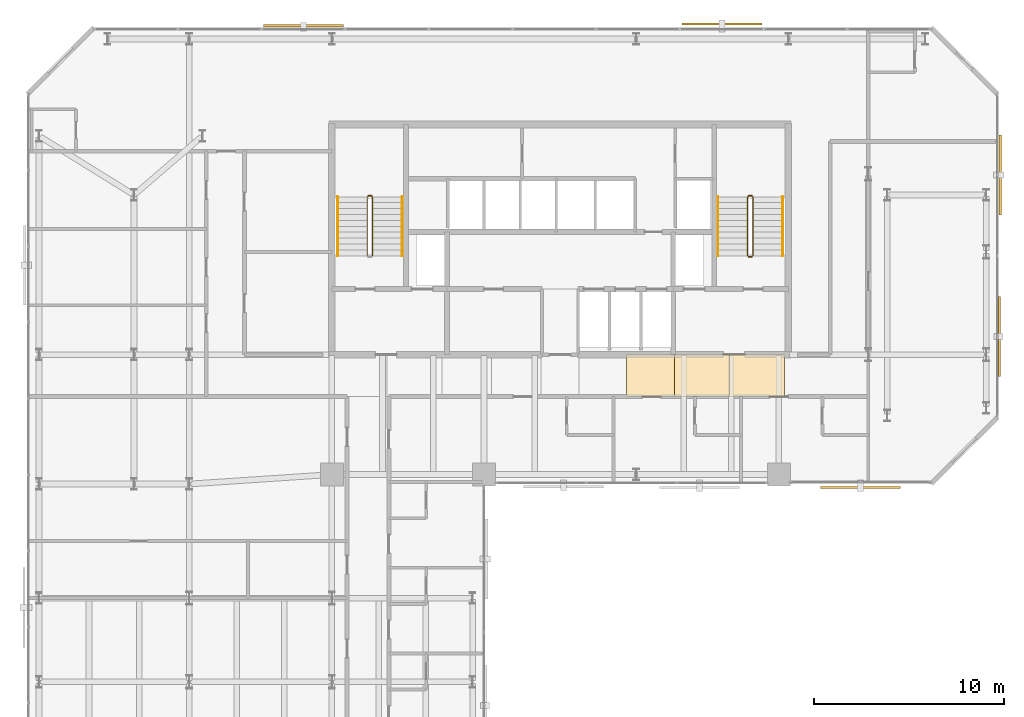
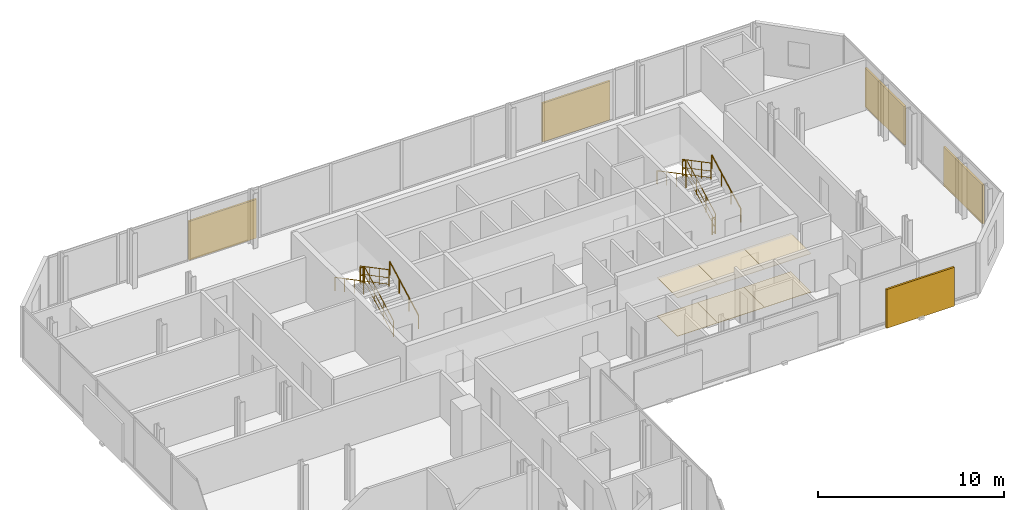
# One storey, part 32 of 32: 11 railings, 6 coverings, 5 shading devices.
"""IFC4 building model written with IfcOpenShell, lengths in metres."""

from ifc_helpers import new_model, si_unit, direction, frame, origin, origin_2d, place, context, subcontext, project, spatial, polyline, rectangle, circle, outline, extrude, material, layer, layer_set, type_object, element, save


model = new_model("IFC4")

# Units and contexts
model_context = context("Model", 3, precision=1e-05, world=origin(), true_north=direction((0.0, 1.0)))
body_context = subcontext(model_context, "Body", "Model", "MODEL_VIEW")
ifc_project = project(units=[si_unit("LENGTHUNIT", "METRE"), si_unit("AREAUNIT", "SQUARE_METRE"), si_unit("VOLUMEUNIT", "CUBIC_METRE"), si_unit("PLANEANGLEUNIT", "RADIAN"), si_unit("MASSUNIT", "GRAM", prefix="KILO")], contexts=[model_context])

# Site, building, storey
site_placement = place(None, origin())
site = spatial("IfcSite", under=ifc_project, at=site_placement, CompositionType="ELEMENT")
building_placement = place(site_placement, origin())
building = spatial("IfcBuilding", under=site, at=building_placement, Name="Catumbela Crestline Tower", CompositionType="ELEMENT")
storey_placement = place(building_placement, frame((0.0, 0.0, 133.2)))
storey = spatial("IfcBuildingStorey", under=building, at=storey_placement, Name="L34", CompositionType="ELEMENT", Elevation=133.2)

# Coverings
ifc_material_1 = material(Name="Mineral-fibre acoustic ceiling")
ifc_layer_1 = layer(ifc_material_1, 0.03, Name="Mineral-fibre acoustic ceiling")
ifc_layer_set_1 = layer_set([ifc_layer_1], Name="Mineral-fibre acoustic ceiling")
covering_type_1 = type_object("IfcCoveringType", Name="CC-AC", PredefinedType="CEILING", material=ifc_layer_set_1)
covering_1_placement = place(storey_placement, frame((0.0, 0.0, 2.52)))
element("IfcCovering", 1, at=covering_1_placement, inside=storey, type_object=covering_type_1, Name="L34 Corridor Acoustic Ceiling Bay 6", PredefinedType="CEILING", context=body_context, shape_type="SweptSolid", body=[
    extrude(outline(polyline([(31.5, 28.6), (34.0, 28.6), (34.0, 30.8), (31.5, 30.8), (31.5, 28.6)])), origin(), (0.0, 0.0, 1.0), 0.03),
])
covering_2_placement = place(storey_placement, frame((0.0, 0.0, 2.52)))
element("IfcCovering", 2, at=covering_2_placement, inside=storey, type_object=covering_type_1, Name="L34 Corridor Acoustic Ceiling Bay 7", PredefinedType="CEILING", context=body_context, shape_type="SweptSolid", body=[
    extrude(outline(polyline([(34.0, 28.6), (36.9, 28.6), (36.9, 30.8), (34.0, 30.8), (34.0, 28.6)])), origin(), (0.0, 0.0, 1.0), 0.03),
])
covering_3_placement = place(storey_placement, frame((0.0, 0.0, 2.52)))
element("IfcCovering", 3, at=covering_3_placement, inside=storey, type_object=covering_type_1, Name="L34 Corridor Acoustic Ceiling Bay 8", PredefinedType="CEILING", context=body_context, shape_type="SweptSolid", body=[
    extrude(outline(polyline([(36.9, 28.6), (39.8, 28.6), (39.8, 30.8), (36.9, 30.8), (36.9, 28.6)])), origin(), (0.0, 0.0, 1.0), 0.03),
])
ifc_material_2 = material(Name="Angolan grey-ochre granite", Category="masonry")
ifc_layer_2 = layer(ifc_material_2, 0.025, Name="Angolan grey-ochre granite")
ifc_layer_set_2 = layer_set([ifc_layer_2], Name="Angolan grey-ochre granite")
covering_type_2 = type_object("IfcCoveringType", Name="CF-GR", PredefinedType="FLOORING", material=ifc_layer_set_2)
covering_4_placement = place(storey_placement, origin())
element("IfcCovering", 4, at=covering_4_placement, inside=storey, type_object=covering_type_2, Name="L34 Corridor Granite Flooring Bay 6", PredefinedType="FLOORING", context=body_context, shape_type="SweptSolid", body=[
    extrude(outline(polyline([(31.5, 28.6), (34.0, 28.6), (34.0, 30.8), (31.5, 30.8), (31.5, 28.6)])), origin(), (0.0, 0.0, 1.0), 0.025),
])
covering_5_placement = place(storey_placement, origin())
element("IfcCovering", 5, at=covering_5_placement, inside=storey, type_object=covering_type_2, Name="L34 Corridor Granite Flooring Bay 7", PredefinedType="FLOORING", context=body_context, shape_type="SweptSolid", body=[
    extrude(outline(polyline([(34.0, 28.6), (36.9, 28.6), (36.9, 30.8), (34.0, 30.8), (34.0, 28.6)])), origin(), (0.0, 0.0, 1.0), 0.025),
])
covering_6_placement = place(storey_placement, origin())
element("IfcCovering", 6, at=covering_6_placement, inside=storey, type_object=covering_type_2, Name="L34 Corridor Granite Flooring Bay 8", PredefinedType="FLOORING", context=body_context, shape_type="SweptSolid", body=[
    extrude(outline(polyline([(36.9, 28.6), (39.8, 28.6), (39.8, 30.8), (36.9, 30.8), (36.9, 28.6)])), origin(), (0.0, 0.0, 1.0), 0.025),
])

# Railings
ifc_material_3 = material(Name="Stainless steel EN 1.4401", Category="steel")
railing_type_1 = type_object("IfcRailingType", Name="RG-1100", PredefinedType="GUARDRAIL", material=ifc_material_3)
railing_1_placement = place(storey_placement, frame((18.14, 36.0, 0.1636)))
element("IfcRailing", 7, at=railing_1_placement, inside=storey, type_object=railing_type_1, Name="L34 ST-01 stair guard 1", PredefinedType="GUARDRAIL", context=body_context, shape_type="SweptSolid", body=[
    extrude(circle(Radius=0.024, at=origin_2d()), frame((0.0, 0.0, 1.076), z_axis=(0.0, 0.884350731049, 0.466823076222), x_axis=(-1.0, 0.0, 0.0)), (0.0, 0.0, 1.0), 3.5054),
    extrude(circle(Radius=0.0156, at=origin_2d()), frame((0.0, 0.0, 0.55), z_axis=(0.0, 0.884350731049, 0.466823076222), x_axis=(-1.0, 0.0, 0.0)), (0.0, 0.0, 1.0), 3.5054),
    extrude(circle(Radius=0.0156, at=origin_2d()), frame((0.0, 0.0, 0.12), z_axis=(0.0, 0.884350731049, 0.466823076222), x_axis=(-1.0, 0.0, 0.0)), (0.0, 0.0, 1.0), 3.5054),
    extrude(circle(Radius=0.021, at=origin_2d()), origin(), (0.0, 0.0, 1.0), 1.052),
    extrude(circle(Radius=0.021, at=origin_2d()), frame((0.0, 1.0333, 0.5455)), (0.0, 0.0, 1.0), 1.052),
    extrude(circle(Radius=0.021, at=origin_2d()), frame((0.0, 2.0667, 1.0909)), (0.0, 0.0, 1.0), 1.052),
    extrude(circle(Radius=0.021, at=origin_2d()), frame((0.0, 3.1, 1.6364)), (0.0, 0.0, 1.0), 1.052),
])
railing_2_placement = place(storey_placement, frame((18.09, 39.15, 1.8)))
element("IfcRailing", 8, at=railing_2_placement, inside=storey, type_object=railing_type_1, Name="L34 ST-01 stair guard 2", PredefinedType="GUARDRAIL", context=body_context, shape_type="SweptSolid", body=[
    extrude(circle(Radius=0.024, at=origin_2d()), frame((0.0, 0.0, 1.076), z_axis=(-1.0, 0.0, 0.0), x_axis=(0.0, -1.0, 0.0)), (0.0, 0.0, 1.0), 0.18),
    extrude(circle(Radius=0.0156, at=origin_2d()), frame((0.0, 0.0, 0.55), z_axis=(-1.0, 0.0, 0.0), x_axis=(0.0, -1.0, 0.0)), (0.0, 0.0, 1.0), 0.18),
    extrude(circle(Radius=0.0156, at=origin_2d()), frame((0.0, 0.0, 0.12), z_axis=(-1.0, 0.0, 0.0), x_axis=(0.0, -1.0, 0.0)), (0.0, 0.0, 1.0), 0.18),
    extrude(circle(Radius=0.021, at=origin_2d()), origin(), (0.0, 0.0, 1.0), 1.052),
    extrude(circle(Radius=0.021, at=origin_2d()), frame((-0.18, 0.0, 0.0)), (0.0, 0.0, 1.0), 1.052),
])
railing_3_placement = place(storey_placement, frame((17.86, 39.1, 1.9636)))
element("IfcRailing", 9, at=railing_3_placement, inside=storey, type_object=railing_type_1, Name="L34 ST-01 stair guard 3", PredefinedType="GUARDRAIL", context=body_context, shape_type="SweptSolid", body=[
    extrude(circle(Radius=0.024, at=origin_2d()), frame((0.0, 0.0, 1.076), z_axis=(0.0, -0.884350731049, 0.466823076222), x_axis=(1.0, 0.0, 0.0)), (0.0, 0.0, 1.0), 3.5054),
    extrude(circle(Radius=0.0156, at=origin_2d()), frame((0.0, 0.0, 0.55), z_axis=(0.0, -0.884350731049, 0.466823076222), x_axis=(1.0, 0.0, 0.0)), (0.0, 0.0, 1.0), 3.5054),
    extrude(circle(Radius=0.0156, at=origin_2d()), frame((0.0, 0.0, 0.12), z_axis=(0.0, -0.884350731049, 0.466823076222), x_axis=(1.0, 0.0, 0.0)), (0.0, 0.0, 1.0), 3.5054),
    extrude(circle(Radius=0.021, at=origin_2d()), origin(), (0.0, 0.0, 1.0), 1.052),
    extrude(circle(Radius=0.021, at=origin_2d()), frame((0.0, -1.0333, 0.5455)), (0.0, 0.0, 1.0), 1.052),
    extrude(circle(Radius=0.021, at=origin_2d()), frame((0.0, -2.0667, 1.0909)), (0.0, 0.0, 1.0), 1.052),
    extrude(circle(Radius=0.021, at=origin_2d()), frame((0.0, -3.1, 1.6364)), (0.0, 0.0, 1.0), 1.052),
])
railing_4_placement = place(storey_placement, frame((38.14, 36.0, 0.1636)))
element("IfcRailing", 10, at=railing_4_placement, inside=storey, type_object=railing_type_1, Name="L34 ST-02 stair guard 1", PredefinedType="GUARDRAIL", context=body_context, shape_type="SweptSolid", body=[
    extrude(circle(Radius=0.024, at=origin_2d()), frame((0.0, 0.0, 1.076), z_axis=(0.0, 0.884350731049, 0.466823076222), x_axis=(-1.0, 0.0, 0.0)), (0.0, 0.0, 1.0), 3.5054),
    extrude(circle(Radius=0.0156, at=origin_2d()), frame((0.0, 0.0, 0.55), z_axis=(0.0, 0.884350731049, 0.466823076222), x_axis=(-1.0, 0.0, 0.0)), (0.0, 0.0, 1.0), 3.5054),
    extrude(circle(Radius=0.0156, at=origin_2d()), frame((0.0, 0.0, 0.12), z_axis=(0.0, 0.884350731049, 0.466823076222), x_axis=(-1.0, 0.0, 0.0)), (0.0, 0.0, 1.0), 3.5054),
    extrude(circle(Radius=0.021, at=origin_2d()), origin(), (0.0, 0.0, 1.0), 1.052),
    extrude(circle(Radius=0.021, at=origin_2d()), frame((0.0, 1.0333, 0.5455)), (0.0, 0.0, 1.0), 1.052),
    extrude(circle(Radius=0.021, at=origin_2d()), frame((0.0, 2.0667, 1.0909)), (0.0, 0.0, 1.0), 1.052),
    extrude(circle(Radius=0.021, at=origin_2d()), frame((0.0, 3.1, 1.6364)), (0.0, 0.0, 1.0), 1.052),
])
railing_5_placement = place(storey_placement, frame((38.09, 39.15, 1.8)))
element("IfcRailing", 11, at=railing_5_placement, inside=storey, type_object=railing_type_1, Name="L34 ST-02 stair guard 2", PredefinedType="GUARDRAIL", context=body_context, shape_type="SweptSolid", body=[
    extrude(circle(Radius=0.024, at=origin_2d()), frame((0.0, 0.0, 1.076), z_axis=(-1.0, 0.0, 0.0), x_axis=(0.0, -1.0, 0.0)), (0.0, 0.0, 1.0), 0.18),
    extrude(circle(Radius=0.0156, at=origin_2d()), frame((0.0, 0.0, 0.55), z_axis=(-1.0, 0.0, 0.0), x_axis=(0.0, -1.0, 0.0)), (0.0, 0.0, 1.0), 0.18),
    extrude(circle(Radius=0.0156, at=origin_2d()), frame((0.0, 0.0, 0.12), z_axis=(-1.0, 0.0, 0.0), x_axis=(0.0, -1.0, 0.0)), (0.0, 0.0, 1.0), 0.18),
    extrude(circle(Radius=0.021, at=origin_2d()), origin(), (0.0, 0.0, 1.0), 1.052),
    extrude(circle(Radius=0.021, at=origin_2d()), frame((-0.18, 0.0, 0.0)), (0.0, 0.0, 1.0), 1.052),
])
railing_6_placement = place(storey_placement, frame((37.86, 39.1, 1.9636)))
element("IfcRailing", 12, at=railing_6_placement, inside=storey, type_object=railing_type_1, Name="L34 ST-02 stair guard 3", PredefinedType="GUARDRAIL", context=body_context, shape_type="SweptSolid", body=[
    extrude(circle(Radius=0.024, at=origin_2d()), frame((0.0, 0.0, 1.076), z_axis=(0.0, -0.884350731049, 0.466823076222), x_axis=(1.0, 0.0, 0.0)), (0.0, 0.0, 1.0), 3.5054),
    extrude(circle(Radius=0.0156, at=origin_2d()), frame((0.0, 0.0, 0.55), z_axis=(0.0, -0.884350731049, 0.466823076222), x_axis=(1.0, 0.0, 0.0)), (0.0, 0.0, 1.0), 3.5054),
    extrude(circle(Radius=0.0156, at=origin_2d()), frame((0.0, 0.0, 0.12), z_axis=(0.0, -0.884350731049, 0.466823076222), x_axis=(1.0, 0.0, 0.0)), (0.0, 0.0, 1.0), 3.5054),
    extrude(circle(Radius=0.021, at=origin_2d()), origin(), (0.0, 0.0, 1.0), 1.052),
    extrude(circle(Radius=0.021, at=origin_2d()), frame((0.0, -1.0333, 0.5455)), (0.0, 0.0, 1.0), 1.052),
    extrude(circle(Radius=0.021, at=origin_2d()), frame((0.0, -2.0667, 1.0909)), (0.0, 0.0, 1.0), 1.052),
    extrude(circle(Radius=0.021, at=origin_2d()), frame((0.0, -3.1, 1.6364)), (0.0, 0.0, 1.0), 1.052),
])
railing_7_placement = place(storey_placement, frame((38.09, 35.95, 0.0)))
element("IfcRailing", 13, at=railing_7_placement, inside=storey, type_object=railing_type_1, Name="L34 ST-02 stair guard 4", PredefinedType="GUARDRAIL", context=body_context, shape_type="SweptSolid", body=[
    extrude(circle(Radius=0.024, at=origin_2d()), frame((0.0, 0.0, 1.076), z_axis=(-1.0, 0.0, 0.0), x_axis=(0.0, -1.0, 0.0)), (0.0, 0.0, 1.0), 0.18),
    extrude(circle(Radius=0.0156, at=origin_2d()), frame((0.0, 0.0, 0.55), z_axis=(-1.0, 0.0, 0.0), x_axis=(0.0, -1.0, 0.0)), (0.0, 0.0, 1.0), 0.18),
    extrude(circle(Radius=0.0156, at=origin_2d()), frame((0.0, 0.0, 0.12), z_axis=(-1.0, 0.0, 0.0), x_axis=(0.0, -1.0, 0.0)), (0.0, 0.0, 1.0), 0.18),
    extrude(circle(Radius=0.021, at=origin_2d()), origin(), (0.0, 0.0, 1.0), 1.052),
    extrude(circle(Radius=0.021, at=origin_2d()), frame((-0.18, 0.0, 0.0)), (0.0, 0.0, 1.0), 1.052),
])
railing_type_2 = type_object("IfcRailingType", Name="RH-0900", PredefinedType="HANDRAIL", material=ifc_material_3)
railing_8_placement = place(storey_placement, frame((19.7, 36.0, 0.1636)))
element("IfcRailing", 14, at=railing_8_placement, inside=storey, type_object=railing_type_2, Name="L34 ST-01 stair handrail 1", PredefinedType="HANDRAIL", context=body_context, shape_type="SweptSolid", body=[
    extrude(circle(Radius=0.024, at=origin_2d()), frame((0.0, 0.0, 0.876), z_axis=(0.0, 0.884350731049, 0.466823076222), x_axis=(-1.0, 0.0, 0.0)), (0.0, 0.0, 1.0), 3.5054),
    extrude(circle(Radius=0.021, at=origin_2d()), origin(), (0.0, 0.0, 1.0), 0.852),
    extrude(circle(Radius=0.021, at=origin_2d()), frame((0.0, 1.0333, 0.5455)), (0.0, 0.0, 1.0), 0.852),
    extrude(circle(Radius=0.021, at=origin_2d()), frame((0.0, 2.0667, 1.0909)), (0.0, 0.0, 1.0), 0.852),
    extrude(circle(Radius=0.021, at=origin_2d()), frame((0.0, 3.1, 1.6364)), (0.0, 0.0, 1.0), 0.852),
])
railing_9_placement = place(storey_placement, frame((16.3, 39.1, 1.9636)))
element("IfcRailing", 15, at=railing_9_placement, inside=storey, type_object=railing_type_2, Name="L34 ST-01 stair handrail 2", PredefinedType="HANDRAIL", context=body_context, shape_type="SweptSolid", body=[
    extrude(circle(Radius=0.024, at=origin_2d()), frame((0.0, 0.0, 0.876), z_axis=(0.0, -0.884350731049, 0.466823076222), x_axis=(1.0, 0.0, 0.0)), (0.0, 0.0, 1.0), 3.5054),
    extrude(circle(Radius=0.021, at=origin_2d()), origin(), (0.0, 0.0, 1.0), 0.852),
    extrude(circle(Radius=0.021, at=origin_2d()), frame((0.0, -1.0333, 0.5455)), (0.0, 0.0, 1.0), 0.852),
    extrude(circle(Radius=0.021, at=origin_2d()), frame((0.0, -2.0667, 1.0909)), (0.0, 0.0, 1.0), 0.852),
    extrude(circle(Radius=0.021, at=origin_2d()), frame((0.0, -3.1, 1.6364)), (0.0, 0.0, 1.0), 0.852),
])
railing_10_placement = place(storey_placement, frame((39.7, 36.0, 0.1636)))
element("IfcRailing", 16, at=railing_10_placement, inside=storey, type_object=railing_type_2, Name="L34 ST-02 stair handrail 1", PredefinedType="HANDRAIL", context=body_context, shape_type="SweptSolid", body=[
    extrude(circle(Radius=0.024, at=origin_2d()), frame((0.0, 0.0, 0.876), z_axis=(0.0, 0.884350731049, 0.466823076222), x_axis=(-1.0, 0.0, 0.0)), (0.0, 0.0, 1.0), 3.5054),
    extrude(circle(Radius=0.021, at=origin_2d()), origin(), (0.0, 0.0, 1.0), 0.852),
    extrude(circle(Radius=0.021, at=origin_2d()), frame((0.0, 1.0333, 0.5455)), (0.0, 0.0, 1.0), 0.852),
    extrude(circle(Radius=0.021, at=origin_2d()), frame((0.0, 2.0667, 1.0909)), (0.0, 0.0, 1.0), 0.852),
    extrude(circle(Radius=0.021, at=origin_2d()), frame((0.0, 3.1, 1.6364)), (0.0, 0.0, 1.0), 0.852),
])
railing_11_placement = place(storey_placement, frame((36.3, 39.1, 1.9636)))
element("IfcRailing", 17, at=railing_11_placement, inside=storey, type_object=railing_type_2, Name="L34 ST-02 stair handrail 2", PredefinedType="HANDRAIL", context=body_context, shape_type="SweptSolid", body=[
    extrude(circle(Radius=0.024, at=origin_2d()), frame((0.0, 0.0, 0.876), z_axis=(0.0, -0.884350731049, 0.466823076222), x_axis=(1.0, 0.0, 0.0)), (0.0, 0.0, 1.0), 3.5054),
    extrude(circle(Radius=0.021, at=origin_2d()), origin(), (0.0, 0.0, 1.0), 0.852),
    extrude(circle(Radius=0.021, at=origin_2d()), frame((0.0, -1.0333, 0.5455)), (0.0, 0.0, 1.0), 0.852),
    extrude(circle(Radius=0.021, at=origin_2d()), frame((0.0, -2.0667, 1.0909)), (0.0, 0.0, 1.0), 0.852),
    extrude(circle(Radius=0.021, at=origin_2d()), frame((0.0, -3.1, 1.6364)), (0.0, 0.0, 1.0), 0.852),
])

# Shading devices
ifc_material_4 = material(Name="Extruded terracotta ceramic", Category="masonry")
shading_device_type_1 = type_object("IfcShadingDeviceType", Name="ST-180", PredefinedType="USERDEFINED", material=ifc_material_4)
for number, where, z_axis, x_axis, name in (
    (18, (51.099, 31.75, -0.1), (0.0, 0.0, 1.0), (0.0, 1.0, 0.0), "L34 Perforated Terracotta Solar Screen 374 (180 mm)"),
    (19, (14.5, 48.099, -0.1), (0.0, 0.0, 1.0), (-1.0, 0.0, 0.0), "L34 Perforated Terracotta Solar Screen 377 (180 mm)"),
):
    element("IfcShadingDevice", number, at=place(storey_placement, frame(where, z_axis=z_axis, x_axis=x_axis)), inside=storey, type_object=shading_device_type_1, Name=name, ObjectType="SCREEN", PredefinedType="USERDEFINED", context=body_context, shape_type="SweptSolid", body=[
        extrude(rectangle(XDim=4.2, YDim=0.12, at=origin_2d()), origin(), (0.0, 0.0, 1.0), 2.55),
    ])
shading_device_type_2 = type_object("IfcShadingDeviceType", Name="ST-260", PredefinedType="USERDEFINED", material=ifc_material_4)
shading_device_placement = place(storey_placement, frame((51.143, 40.25, -0.1), z_axis=(0.0, 0.0, 1.0), x_axis=(0.0, 1.0, 0.0)))
element("IfcShadingDevice", 20, at=shading_device_placement, inside=storey, type_object=shading_device_type_2, Name="L34 Perforated Terracotta Solar Screen 375 (260 mm)", ObjectType="SCREEN", PredefinedType="USERDEFINED", context=body_context, shape_type="SweptSolid", body=[
    extrude(rectangle(XDim=4.2, YDim=0.12, at=origin_2d()), origin(), (0.0, 0.0, 1.0), 2.55),
])
shading_device_type_3 = type_object("IfcShadingDeviceType", Name="ST-340", PredefinedType="USERDEFINED", material=ifc_material_4)
for number, where, z_axis, x_axis, name in (
    (21, (43.8, 23.813, -0.1), (0.0, 0.0, 1.0), (1.0, 0.0, 0.0), "L34 Perforated Terracotta Solar Screen 373 (340 mm)"),
    (22, (36.5, 48.187, -0.1), (0.0, 0.0, 1.0), (-1.0, 0.0, 0.0), "L34 Perforated Terracotta Solar Screen 376 (340 mm)"),
):
    element("IfcShadingDevice", number, at=place(storey_placement, frame(where, z_axis=z_axis, x_axis=x_axis)), inside=storey, type_object=shading_device_type_3, Name=name, ObjectType="SCREEN", PredefinedType="USERDEFINED", context=body_context, shape_type="SweptSolid", body=[
        extrude(rectangle(XDim=4.2, YDim=0.12, at=origin_2d()), origin(), (0.0, 0.0, 1.0), 2.55),
    ])

save(model, "model.ifc")
